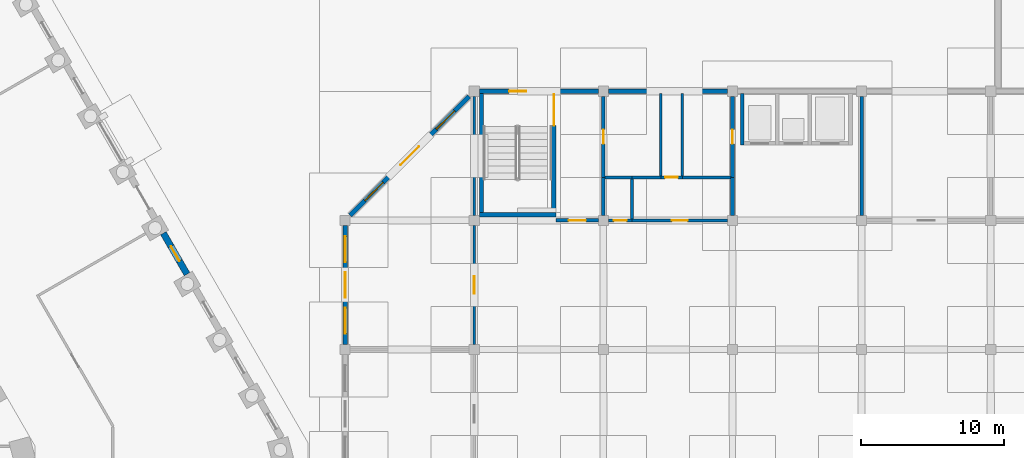
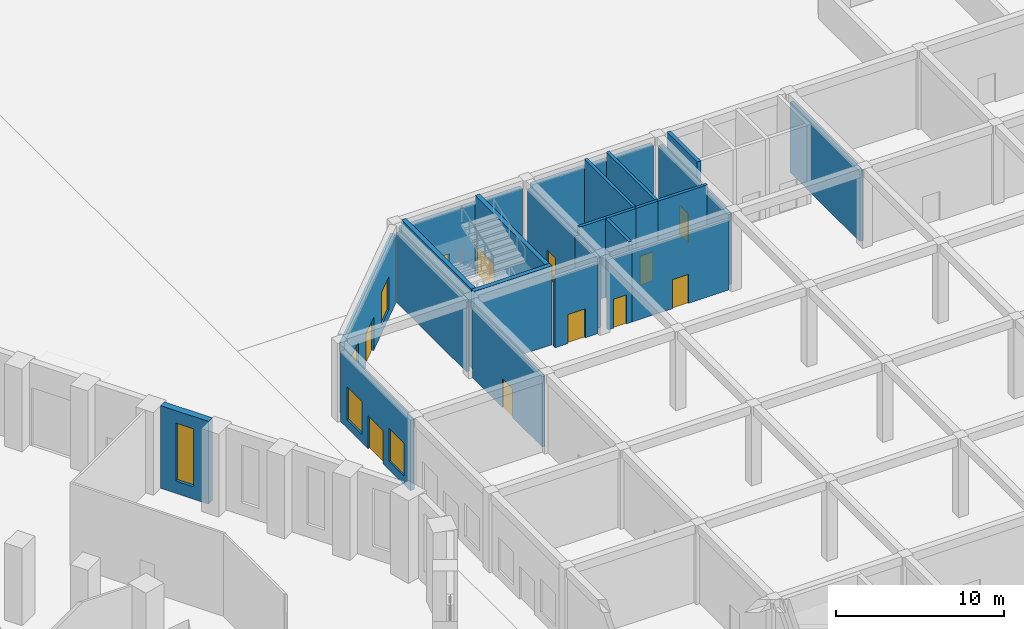
# One storey, part 26 of 44: 26 walls, 11 doors, 5 windows, 16 openings.
"""IFC4 building model written with IfcOpenShell, lengths in metres."""

from ifc_helpers import new_model, si_unit, direction, frame, frame_2d, origin, place, context, subcontext, project, spatial, rectangle, extrude, material, layer, layer_set, type_object, element, fill, save


model = new_model("IFC4")

# Units and contexts
model_context = context("Model", 3, precision=1e-05, world=origin(), true_north=direction((0.0, 1.0)))
body_context = subcontext(model_context, "Body", "Model", "MODEL_VIEW")
ifc_project = project(units=[si_unit("LENGTHUNIT", "METRE"), si_unit("AREAUNIT", "SQUARE_METRE"), si_unit("VOLUMEUNIT", "CUBIC_METRE"), si_unit("PLANEANGLEUNIT", "RADIAN"), si_unit("MASSUNIT", "GRAM", prefix="KILO")], contexts=[model_context])

# Site, building, storey
site_placement = place(None, origin())
site = spatial("IfcSite", under=ifc_project, at=site_placement, CompositionType="ELEMENT")
building_placement = place(site_placement, origin())
building = spatial("IfcBuilding", under=site, at=building_placement, Name="Dhurran Vertical Campus", CompositionType="ELEMENT")
storey_placement = place(building_placement, origin())
storey = spatial("IfcBuildingStorey", under=building, at=storey_placement, Name="L00", CompositionType="ELEMENT", Elevation=0.0)

# Wall, opening, window
ifc_material_1 = material(Name="Precast concrete C50/60", Category="concrete")
ifc_layer_1 = layer(ifc_material_1, 0.449951171875)
ifc_layer_set_1 = layer_set([ifc_layer_1], Name="Precast concrete C50/60")
wall_type_1 = type_object("IfcWallType", Name="Precast base wall 450", PredefinedType="SOLIDWALL", material=ifc_layer_set_1)
wall_1_placement = place(storey_placement, frame((50.478759765625, 14.248779296875, 0.0), z_axis=(0.0, 0.0, 1.0), x_axis=(-0.49995947208, 0.866048801325, 0.0)))
wall_1 = element("IfcWall", 1, at=wall_1_placement, inside=storey, type_object=wall_type_1, Name="EW2 L00.29", PredefinedType="SOLIDWALL", context=body_context, shape_type="SweptSolid", body=[
    extrude(rectangle(XDim=3.299072265625, YDim=0.449951171875, at=frame_2d((1.6494140625, 0.0))), origin(), (0.0, 0.0, 1.0), 6.0),
])
opening_1_placement = place(wall_1_placement, frame((1.049560546875, 0.0, 0.89990234375)))
opening_1 = element("IfcOpeningElement", 2, at=opening_1_placement, cuts=wall_1, Name="Opening WT5", PredefinedType="OPENING", context=body_context, shape_type="SweptSolid", body=[
    extrude(rectangle(XDim=1.199951171875, YDim=4.199951171875, at=frame_2d((0.60009765625, 2.10009765625))), frame((0.0, 0.23486328125, 0.0), z_axis=(0.0, -1.0, 0.0), x_axis=(1.0, 0.0, 0.0)), (0.0, 0.0, 1.0), 0.469970703125),
])
ifc_material_2 = material(Name="Aluminium frame with solar-control glass", Category="aluminium")
window_type_1 = type_object("IfcWindowType", Name="Ring slot window 1200 x 4200", PartitioningType="SINGLE_PANEL", PredefinedType="WINDOW", material=ifc_material_2)
window_1_placement = place(opening_1_placement, origin())
window_1 = element("IfcWindow", 3, at=window_1_placement, inside=storey, type_object=window_type_1, Name="WT5 L00.29", OverallHeight=4.199951171875, OverallWidth=1.199951171875, PartitioningType="SINGLE_PANEL", PredefinedType="WINDOW", context=body_context, shape_type="SweptSolid", body=[
    extrude(rectangle(XDim=1.199951171875, YDim=4.199951171875, at=frame_2d((0.60009765625, 2.10009765625))), frame((0.0, 0.030029296875, 0.0), z_axis=(0.0, -1.0, 0.0), x_axis=(1.0, 0.0, 0.0)), (0.0, 0.0, 1.0), 0.06005859375),
])
fill(opening_1, window_1)

# Wall
ifc_material_3 = material(Name="Precast concrete C40/50", Category="concrete")
ifc_layer_2 = layer(ifc_material_3, 0.300048828125)
ifc_layer_set_2 = layer_set([ifc_layer_2], Name="Precast concrete C40/50")
wall_type_2 = type_object("IfcWallType", Name="hl-external wall precast 300", PredefinedType="SOLIDWALL", material=ifc_layer_set_2)
wall_2_placement = place(storey_placement, frame((88.14990234375, 27.0, 0.0), z_axis=(0.0, 0.0, 1.0), x_axis=(-1.0, 0.0, 0.0)))
element("IfcWall", 4, at=wall_2_placement, inside=storey, type_object=wall_type_2, Name="Hall external wall L00-036", PredefinedType="SOLIDWALL", context=body_context, shape_type="SweptSolid", body=[
    extrude(rectangle(XDim=8.2998046875, YDim=0.300048828125, at=frame_2d((4.14990234375, 0.0))), origin(), (0.0, 0.0, 1.0), 5.10009765625),
])

# Wall, openings, door, windows
wall_3_placement = place(storey_placement, frame((70.14990234375, 26.64990234375, 0.0), z_axis=(0.0, 0.0, 1.0), x_axis=(-0.707106781187, -0.707106781187, 0.0)))
wall_3 = element("IfcWall", 5, at=wall_3_placement, inside=storey, type_object=wall_type_2, Name="Hall external wall L00-040", PredefinedType="SOLIDWALL", context=body_context, shape_type="SweptSolid", body=[
    extrude(rectangle(XDim=11.73779296875, YDim=0.300048828125, at=frame_2d((5.868896484375, 0.0))), origin(), (0.0, 0.0, 1.0), 5.10009765625),
])
opening_2_placement = place(wall_3_placement, frame((1.447509765625, 0.0, 0.60009765625)))
opening_2 = element("IfcOpeningElement", 6, at=opening_2_placement, cuts=wall_3, Name="Opening HWN2", PredefinedType="OPENING", context=body_context, shape_type="SweptSolid", body=[
    extrude(rectangle(XDim=1.800048828125, YDim=2.39990234375, at=frame_2d((0.89990234375, 1.199951171875))), frame((0.0, 0.159912109375, 0.0), z_axis=(0.0, -1.0, 0.0), x_axis=(1.0, 0.0, 0.0)), (0.0, 0.0, 1.0), 0.320068359375),
])
opening_3_placement = place(wall_3_placement, frame((4.968994140625, 0.0, 0.0)))
opening_3 = element("IfcOpeningElement", 7, at=opening_3_placement, cuts=wall_3, Name="Opening HDE12", PredefinedType="OPENING", context=body_context, shape_type="SweptSolid", body=[
    extrude(rectangle(XDim=1.800048828125, YDim=2.39990234375, at=frame_2d((0.89990234375, 1.199951171875))), frame((0.0, 0.159912109375, 0.0), z_axis=(0.0, -1.0, 0.0), x_axis=(1.0, 0.0, 0.0)), (0.0, 0.0, 1.0), 0.320068359375),
])
opening_4_placement = place(wall_3_placement, frame((8.490478515625, 0.0, 0.60009765625)))
opening_4 = element("IfcOpeningElement", 8, at=opening_4_placement, cuts=wall_3, Name="Opening HWN2", PredefinedType="OPENING", context=body_context, shape_type="SweptSolid", body=[
    extrude(rectangle(XDim=1.800048828125, YDim=2.39990234375, at=frame_2d((0.89990234375, 1.199951171875))), frame((0.0, 0.159912109375, 0.0), z_axis=(0.0, -1.0, 0.0), x_axis=(1.0, 0.0, 0.0)), (0.0, 0.0, 1.0), 0.320068359375),
])
ifc_material_4 = material(Name="Aluminium", Category="aluminium")
door_type_1 = type_object("IfcDoorType", Name="hl-shop door double 1800x2400", OperationType="NOTDEFINED", PredefinedType="DOOR", material=ifc_material_4)
door_1_placement = place(opening_3_placement, origin())
door_1 = element("IfcDoor", 9, at=door_1_placement, inside=storey, type_object=door_type_1, Name="Door HDE12", OperationType="DOUBLE_DOOR_SINGLE_SWING", OverallHeight=2.39990234375, OverallWidth=1.800048828125, PredefinedType="DOOR", context=body_context, shape_type="SweptSolid", body=[
    extrude(rectangle(XDim=1.800048828125, YDim=2.39990234375, at=frame_2d((0.89990234375, 1.199951171875))), frame((0.0, 0.02490234375, 0.0), z_axis=(0.0, -1.0, 0.0), x_axis=(1.0, 0.0, 0.0)), (0.0, 0.0, 1.0), 0.050048828125),
])
fill(opening_3, door_1)
ifc_material_5 = material(Name="Aluminium", Category="aluminium")
window_type_2 = type_object("IfcWindowType", Name="hl-shop window 1800x2400", PartitioningType="SINGLE_PANEL", PredefinedType="WINDOW", material=ifc_material_5)
window_2_placement = place(opening_2_placement, origin())
window_2 = element("IfcWindow", 10, at=window_2_placement, inside=storey, type_object=window_type_2, Name="Hall window L00-005", OverallHeight=2.39990234375, OverallWidth=1.800048828125, PartitioningType="SINGLE_PANEL", PredefinedType="WINDOW", context=body_context, shape_type="SweptSolid", body=[
    extrude(rectangle(XDim=1.800048828125, YDim=2.39990234375, at=frame_2d((0.89990234375, 1.199951171875))), frame((0.0, 0.030029296875, 0.0), z_axis=(0.0, -1.0, 0.0), x_axis=(1.0, 0.0, 0.0)), (0.0, 0.0, 1.0), 0.06005859375),
])
fill(opening_2, window_2)
window_3_placement = place(opening_4_placement, origin())
window_3 = element("IfcWindow", 11, at=window_3_placement, inside=storey, type_object=window_type_2, Name="Hall window L00-006", OverallHeight=2.39990234375, OverallWidth=1.800048828125, PartitioningType="SINGLE_PANEL", PredefinedType="WINDOW", context=body_context, shape_type="SweptSolid", body=[
    extrude(rectangle(XDim=1.800048828125, YDim=2.39990234375, at=frame_2d((0.89990234375, 1.199951171875))), frame((0.0, 0.030029296875, 0.0), z_axis=(0.0, -1.0, 0.0), x_axis=(1.0, 0.0, 0.0)), (0.0, 0.0, 1.0), 0.06005859375),
])
fill(opening_4, window_3)

wall_4_placement = place(storey_placement, frame((61.5, 17.64990234375, 0.0), z_axis=(0.0, 0.0, 1.0), x_axis=(0.0, -1.0, 0.0)))
wall_4 = element("IfcWall", 12, at=wall_4_placement, inside=storey, type_object=wall_type_2, Name="Hall external wall L00-042", PredefinedType="SOLIDWALL", context=body_context, shape_type="SweptSolid", body=[
    extrude(rectangle(XDim=8.2998046875, YDim=0.300048828125, at=frame_2d((4.14990234375, 0.0))), origin(), (0.0, 0.0, 1.0), 5.10009765625),
])
opening_5_placement = place(wall_4_placement, frame((0.760009765625, 0.0, 0.60009765625)))
opening_5 = element("IfcOpeningElement", 13, at=opening_5_placement, cuts=wall_4, Name="Opening HWN2", PredefinedType="OPENING", context=body_context, shape_type="SweptSolid", body=[
    extrude(rectangle(XDim=1.800048828125, YDim=2.39990234375, at=frame_2d((0.89990234375, 1.199951171875))), frame((0.0, 0.159912109375, 0.0), z_axis=(0.0, -1.0, 0.0), x_axis=(1.0, 0.0, 0.0)), (0.0, 0.0, 1.0), 0.320068359375),
])
opening_6_placement = place(wall_4_placement, frame((3.25, 0.0, 0.0)))
opening_6 = element("IfcOpeningElement", 14, at=opening_6_placement, cuts=wall_4, Name="Opening HDE13", PredefinedType="OPENING", context=body_context, shape_type="SweptSolid", body=[
    extrude(rectangle(XDim=1.800048828125, YDim=2.39990234375, at=frame_2d((0.89990234375, 1.199951171875))), frame((0.0, 0.159912109375, 0.0), z_axis=(0.0, -1.0, 0.0), x_axis=(1.0, 0.0, 0.0)), (0.0, 0.0, 1.0), 0.320068359375),
])
opening_7_placement = place(wall_4_placement, frame((5.739990234375, 0.0, 0.60009765625)))
opening_7 = element("IfcOpeningElement", 15, at=opening_7_placement, cuts=wall_4, Name="Opening HWN2", PredefinedType="OPENING", context=body_context, shape_type="SweptSolid", body=[
    extrude(rectangle(XDim=1.800048828125, YDim=2.39990234375, at=frame_2d((0.89990234375, 1.199951171875))), frame((0.0, 0.159912109375, 0.0), z_axis=(0.0, -1.0, 0.0), x_axis=(1.0, 0.0, 0.0)), (0.0, 0.0, 1.0), 0.320068359375),
])
door_2_placement = place(opening_6_placement, origin())
door_2 = element("IfcDoor", 16, at=door_2_placement, inside=storey, type_object=door_type_1, Name="Door HDE13", OperationType="DOUBLE_DOOR_SINGLE_SWING", OverallHeight=2.39990234375, OverallWidth=1.800048828125, PredefinedType="DOOR", context=body_context, shape_type="SweptSolid", body=[
    extrude(rectangle(XDim=1.800048828125, YDim=2.39990234375, at=frame_2d((0.89990234375, 1.199951171875))), frame((0.0, 0.02490234375, 0.0), z_axis=(0.0, -1.0, 0.0), x_axis=(1.0, 0.0, 0.0)), (0.0, 0.0, 1.0), 0.050048828125),
])
fill(opening_6, door_2)
window_4_placement = place(opening_5_placement, origin())
window_4 = element("IfcWindow", 17, at=window_4_placement, inside=storey, type_object=window_type_2, Name="Hall window L00-007", OverallHeight=2.39990234375, OverallWidth=1.800048828125, PartitioningType="SINGLE_PANEL", PredefinedType="WINDOW", context=body_context, shape_type="SweptSolid", body=[
    extrude(rectangle(XDim=1.800048828125, YDim=2.39990234375, at=frame_2d((0.89990234375, 1.199951171875))), frame((0.0, 0.030029296875, 0.0), z_axis=(0.0, -1.0, 0.0), x_axis=(1.0, 0.0, 0.0)), (0.0, 0.0, 1.0), 0.06005859375),
])
fill(opening_5, window_4)
window_5_placement = place(opening_7_placement, origin())
window_5 = element("IfcWindow", 18, at=window_5_placement, inside=storey, type_object=window_type_2, Name="Hall window L00-008", OverallHeight=2.39990234375, OverallWidth=1.800048828125, PartitioningType="SINGLE_PANEL", PredefinedType="WINDOW", context=body_context, shape_type="SweptSolid", body=[
    extrude(rectangle(XDim=1.800048828125, YDim=2.39990234375, at=frame_2d((0.89990234375, 1.199951171875))), frame((0.0, 0.030029296875, 0.0), z_axis=(0.0, -1.0, 0.0), x_axis=(1.0, 0.0, 0.0)), (0.0, 0.0, 1.0), 0.06005859375),
])
fill(opening_7, window_5)

# Wall, opening, door
ifc_material_6 = material(Name="Precast concrete C40/50", Category="concrete")
ifc_layer_3 = layer(ifc_material_6, 0.300048828125)
ifc_layer_set_3 = layer_set([ifc_layer_3], Name="Precast concrete C40/50")
wall_type_3 = type_object("IfcWallType", Name="hl-external wall precast 300 EI 120", PredefinedType="SOLIDWALL", material=ifc_layer_set_3)
wall_5_placement = place(storey_placement, frame((79.14990234375, 27.0, 0.0), z_axis=(0.0, 0.0, 1.0), x_axis=(-1.0, 0.0, 0.0)))
wall_5 = element("IfcWall", 19, at=wall_5_placement, inside=storey, type_object=wall_type_3, Name="Hall external wall L00-038", PredefinedType="SOLIDWALL", context=body_context, shape_type="SweptSolid", body=[
    extrude(rectangle(XDim=8.2998046875, YDim=0.300048828125, at=frame_2d((4.14990234375, 0.0))), origin(), (0.0, 0.0, 1.0), 5.10009765625),
])
opening_8_placement = place(wall_5_placement, frame((6.224853515625, 0.0, 0.0), z_axis=(0.0, 0.0, 1.0), x_axis=(-1.0, 0.0, 0.0)))
opening_8 = element("IfcOpeningElement", 20, at=opening_8_placement, cuts=wall_5, Name="Opening HDE11", PredefinedType="OPENING", context=body_context, shape_type="SweptSolid", body=[
    extrude(rectangle(XDim=1.199951171875, YDim=2.10009765625, at=frame_2d((0.60009765625, 1.050048828125))), frame((0.0, 0.159912109375, 0.0), z_axis=(0.0, -1.0, 0.0), x_axis=(1.0, 0.0, 0.0)), (0.0, 0.0, 1.0), 0.320068359375),
])
ifc_material_7 = material(Name="Galvanised sheet steel", Category="steel")
door_type_2 = type_object("IfcDoorType", Name="hl-stair exit door 1200x2100 FD90", OperationType="NOTDEFINED", PredefinedType="DOOR", material=ifc_material_7)
door_3_placement = place(opening_8_placement, origin())
door_3 = element("IfcDoor", 21, at=door_3_placement, inside=storey, type_object=door_type_2, Name="Door HDE11", OperationType="SINGLE_SWING_LEFT", OverallHeight=2.10009765625, OverallWidth=1.199951171875, PredefinedType="DOOR", context=body_context, shape_type="SweptSolid", body=[
    extrude(rectangle(XDim=1.199951171875, YDim=2.10009765625, at=frame_2d((0.60009765625, 1.050048828125))), frame((0.0, 0.02490234375, 0.0), z_axis=(0.0, -1.0, 0.0), x_axis=(1.0, 0.0, 0.0)), (0.0, 0.0, 1.0), 0.050048828125),
])
fill(opening_8, door_3)

# Wall
ifc_material_8 = material(Name="Concrete C40/50", Category="concrete")
ifc_layer_4 = layer(ifc_material_8, 0.25)
ifc_layer_set_4 = layer_set([ifc_layer_4], Name="Concrete C40/50")
wall_type_4 = type_object("IfcWallType", Name="hl-lift shaft wall 250", PredefinedType="SHEAR", material=ifc_layer_set_4)
wall_6_placement = place(storey_placement, frame((89.175048828125, 23.25, -1.780029296875), z_axis=(0.0, 0.0, 1.0), x_axis=(0.0, 1.0, 0.0)))
element("IfcWall", 22, at=wall_6_placement, inside=storey, type_object=wall_type_4, Name="Lift shaft wall V0 L00", PredefinedType="SHEAR", context=body_context, shape_type="SweptSolid", body=[
    extrude(rectangle(XDim=3.60009765625, YDim=0.25, at=frame_2d((1.800048828125, 0.0))), origin(), (0.0, 0.0, 1.0), 7.5),
])

# Wall, opening, door
ifc_material_9 = material(Name="Masonry blockwork", Category="masonry")
ifc_layer_5 = layer(ifc_material_9, 0.199951171875)
ifc_layer_set_5 = layer_set([ifc_layer_5], Name="Masonry blockwork")
wall_type_5 = type_object("IfcWallType", Name="hl-partition blockwork 200 EI 60", PredefinedType="PARTITIONING", material=ifc_layer_set_5)
wall_7_placement = place(storey_placement, frame((70.5, 9.35009765625, 0.0), z_axis=(0.0, 0.0, 1.0), x_axis=(0.0, 1.0, 0.0)))
wall_7 = element("IfcWall", 23, at=wall_7_placement, inside=storey, type_object=wall_type_5, Name="Hall partition L00-008", PredefinedType="PARTITIONING", context=body_context, shape_type="SweptSolid", body=[
    extrude(rectangle(XDim=8.2998046875, YDim=0.199951171875, at=frame_2d((4.14990234375, 0.0))), origin(), (0.0, 0.0, 1.0), 5.10009765625),
])
opening_9_placement = place(wall_7_placement, frame((3.550048828125, 0.0, 0.0)))
opening_9 = element("IfcOpeningElement", 24, at=opening_9_placement, cuts=wall_7, Name="Opening HD010", PredefinedType="OPENING", context=body_context, shape_type="SweptSolid", body=[
    extrude(rectangle(XDim=1.199951171875, YDim=2.10009765625, at=frame_2d((0.60009765625, 1.050048828125))), frame((0.0, 0.10986328125, 0.0), z_axis=(0.0, -1.0, 0.0), x_axis=(1.0, 0.0, 0.0)), (0.0, 0.0, 1.0), 0.219970703125),
])
ifc_material_10 = material(Name="Fire-rated steel door set", Category="steel")
door_type_3 = type_object("IfcDoorType", Name="hl-door 1200x2100 single FD30S", OperationType="NOTDEFINED", PredefinedType="DOOR", material=ifc_material_10)
door_4_placement = place(opening_9_placement, origin())
door_4 = element("IfcDoor", 25, at=door_4_placement, inside=storey, type_object=door_type_3, Name="Door HD010", OperationType="SINGLE_SWING_RIGHT", OverallHeight=2.10009765625, OverallWidth=1.199951171875, PredefinedType="DOOR", context=body_context, shape_type="SweptSolid", body=[
    extrude(rectangle(XDim=1.199951171875, YDim=2.10009765625, at=frame_2d((0.60009765625, 1.050048828125))), frame((0.0, 0.02490234375, 0.0), z_axis=(0.0, -1.0, 0.0), x_axis=(1.0, 0.0, 0.0)), (0.0, 0.0, 1.0), 0.050048828125),
])
fill(opening_9, door_4)

# Wall
wall_8_placement = place(storey_placement, frame((70.5, 18.35009765625, 0.0), z_axis=(0.0, 0.0, 1.0), x_axis=(0.0, 1.0, 0.0)))
element("IfcWall", 26, at=wall_8_placement, inside=storey, type_object=wall_type_5, Name="Hall partition L00-009", PredefinedType="PARTITIONING", context=body_context, shape_type="SweptSolid", body=[
    extrude(rectangle(XDim=8.2998046875, YDim=0.199951171875, at=frame_2d((4.14990234375, 0.0))), origin(), (0.0, 0.0, 1.0), 5.10009765625),
])

# Wall, opening, door
wall_9_placement = place(storey_placement, frame((79.85009765625, 18.0, 0.0), z_axis=(0.0, 0.0, 1.0), x_axis=(1.0, 0.0, 0.0)))
wall_9 = element("IfcWall", 27, at=wall_9_placement, inside=storey, type_object=wall_type_5, Name="Hall partition L00-015", PredefinedType="PARTITIONING", context=body_context, shape_type="SweptSolid", body=[
    extrude(rectangle(XDim=1.64990234375, YDim=0.199951171875, at=frame_2d((0.824951171875, 0.0))), origin(), (0.0, 0.0, 1.0), 5.10009765625),
])
opening_10_placement = place(wall_9_placement, frame((0.375, 0.0, 0.0)))
opening_10 = element("IfcOpeningElement", 28, at=opening_10_placement, cuts=wall_9, Name="Opening HD012", PredefinedType="OPENING", context=body_context, shape_type="SweptSolid", body=[
    extrude(rectangle(XDim=0.89990234375, YDim=2.10009765625, at=frame_2d((0.449951171875, 1.050048828125))), frame((0.0, 0.10986328125, 0.0), z_axis=(0.0, -1.0, 0.0), x_axis=(1.0, 0.0, 0.0)), (0.0, 0.0, 1.0), 0.219970703125),
])
ifc_material_11 = material(Name="Fire-rated steel door set", Category="steel")
door_type_4 = type_object("IfcDoorType", Name="hl-door 900x2100 single FD30S", OperationType="NOTDEFINED", PredefinedType="DOOR", material=ifc_material_11)
door_5_placement = place(opening_10_placement, origin())
door_5 = element("IfcDoor", 29, at=door_5_placement, inside=storey, type_object=door_type_4, Name="Door HD012", OperationType="SINGLE_SWING_RIGHT", OverallHeight=2.10009765625, OverallWidth=0.89990234375, PredefinedType="DOOR", context=body_context, shape_type="SweptSolid", body=[
    extrude(rectangle(XDim=0.89990234375, YDim=2.10009765625, at=frame_2d((0.449951171875, 1.050048828125))), frame((0.0, 0.02490234375, 0.0), z_axis=(0.0, -1.0, 0.0), x_axis=(1.0, 0.0, 0.0)), (0.0, 0.0, 1.0), 0.050048828125),
])
fill(opening_10, door_5)

# Walls
wall_10_placement = place(storey_placement, frame((79.60009765625, 21.0, 0.0), z_axis=(0.0, 0.0, 1.0), x_axis=(1.0, 0.0, 0.0)))
element("IfcWall", 30, at=wall_10_placement, inside=storey, type_object=wall_type_5, Name="Hall partition L00-017", PredefinedType="PARTITIONING", context=body_context, shape_type="SweptSolid", body=[
    extrude(rectangle(XDim=1.89990234375, YDim=0.199951171875, at=frame_2d((0.949951171875, 0.0))), origin(), (0.0, 0.0, 1.0), 5.719970703125),
])
wall_11_placement = place(storey_placement, frame((81.5, 18.10009765625, 0.0), z_axis=(0.0, 0.0, 1.0), x_axis=(0.0, 1.0, 0.0)))
element("IfcWall", 31, at=wall_11_placement, inside=storey, type_object=wall_type_5, Name="Hall partition L00-018", PredefinedType="PARTITIONING", context=body_context, shape_type="SweptSolid", body=[
    extrude(rectangle(XDim=2.89990234375, YDim=0.199951171875, at=frame_2d((1.449951171875, 0.0))), origin(), (0.0, 0.0, 1.0), 5.719970703125),
])

# Wall, opening, door
wall_12_placement = place(storey_placement, frame((81.5, 18.0, 0.0), z_axis=(0.0, 0.0, 1.0), x_axis=(1.0, 0.0, 0.0)))
wall_12 = element("IfcWall", 32, at=wall_12_placement, inside=storey, type_object=wall_type_5, Name="Hall partition L00-019", PredefinedType="PARTITIONING", context=body_context, shape_type="SweptSolid", body=[
    extrude(rectangle(XDim=6.64990234375, YDim=0.199951171875, at=frame_2d((3.324951171875, 0.0))), origin(), (0.0, 0.0, 1.0), 5.10009765625),
])
opening_11_placement = place(wall_12_placement, frame((2.77490234375, 0.0, 0.0)))
opening_11 = element("IfcOpeningElement", 33, at=opening_11_placement, cuts=wall_12, Name="Opening HD011", PredefinedType="OPENING", context=body_context, shape_type="SweptSolid", body=[
    extrude(rectangle(XDim=1.10009765625, YDim=2.10009765625, at=frame_2d((0.550048828125, 1.050048828125))), frame((0.0, 0.10986328125, 0.0), z_axis=(0.0, -1.0, 0.0), x_axis=(1.0, 0.0, 0.0)), (0.0, 0.0, 1.0), 0.219970703125),
])
ifc_material_12 = material(Name="Fire-rated steel door set", Category="steel")
door_type_5 = type_object("IfcDoorType", Name="hl-door 1100x2100 single FD30S", OperationType="NOTDEFINED", PredefinedType="DOOR", material=ifc_material_12)
door_6_placement = place(opening_11_placement, origin())
door_6 = element("IfcDoor", 34, at=door_6_placement, inside=storey, type_object=door_type_5, Name="Door HD011", OperationType="SINGLE_SWING_LEFT", OverallHeight=2.10009765625, OverallWidth=1.10009765625, PredefinedType="DOOR", context=body_context, shape_type="SweptSolid", body=[
    extrude(rectangle(XDim=1.10009765625, YDim=2.10009765625, at=frame_2d((0.550048828125, 1.050048828125))), frame((0.0, 0.02490234375, 0.0), z_axis=(0.0, -1.0, 0.0), x_axis=(1.0, 0.0, 0.0)), (0.0, 0.0, 1.0), 0.050048828125),
])
fill(opening_11, door_6)

# Walls
wall_13_placement = place(storey_placement, frame((81.5, 21.0, 0.0), z_axis=(0.0, 0.0, 1.0), x_axis=(1.0, 0.0, 0.0)))
element("IfcWall", 35, at=wall_13_placement, inside=storey, type_object=wall_type_5, Name="Hall partition L00-020", PredefinedType="PARTITIONING", context=body_context, shape_type="SweptSolid", body=[
    extrude(rectangle(XDim=2.0, YDim=0.199951171875, at=frame_2d((1.0, 0.0))), origin(), (0.0, 0.0, 1.0), 5.719970703125),
])
wall_14_placement = place(storey_placement, frame((83.5, 21.0, 0.0), z_axis=(0.0, 0.0, 1.0), x_axis=(0.0, 1.0, 0.0)))
element("IfcWall", 36, at=wall_14_placement, inside=storey, type_object=wall_type_5, Name="Hall partition L00-021", PredefinedType="PARTITIONING", context=body_context, shape_type="SweptSolid", body=[
    extrude(rectangle(XDim=5.85009765625, YDim=0.199951171875, at=frame_2d((2.925048828125, 0.0))), origin(), (0.0, 0.0, 1.0), 5.719970703125),
])

# Wall, opening, door
wall_15_placement = place(storey_placement, frame((83.5, 21.0, 0.0), z_axis=(0.0, 0.0, 1.0), x_axis=(1.0, 0.0, 0.0)))
wall_15 = element("IfcWall", 37, at=wall_15_placement, inside=storey, type_object=wall_type_5, Name="Hall partition L00-022", PredefinedType="PARTITIONING", context=body_context, shape_type="SweptSolid", body=[
    extrude(rectangle(XDim=1.5, YDim=0.199951171875, at=frame_2d((0.75, 0.0))), origin(), (0.0, 0.0, 1.0), 5.719970703125),
])
opening_12_placement = place(wall_15_placement, frame((0.300048828125, 0.0, 0.0)))
opening_12 = element("IfcOpeningElement", 38, at=opening_12_placement, cuts=wall_15, Name="Opening HD014", PredefinedType="OPENING", context=body_context, shape_type="SweptSolid", body=[
    extrude(rectangle(XDim=0.89990234375, YDim=2.10009765625, at=frame_2d((0.449951171875, 1.050048828125))), frame((0.0, 0.10986328125, 0.0), z_axis=(0.0, -1.0, 0.0), x_axis=(1.0, 0.0, 0.0)), (0.0, 0.0, 1.0), 0.219970703125),
])
door_7_placement = place(opening_12_placement, origin())
door_7 = element("IfcDoor", 39, at=door_7_placement, inside=storey, type_object=door_type_4, Name="Door HD014", OperationType="SINGLE_SWING_RIGHT", OverallHeight=2.10009765625, OverallWidth=0.89990234375, PredefinedType="DOOR", context=body_context, shape_type="SweptSolid", body=[
    extrude(rectangle(XDim=0.89990234375, YDim=2.10009765625, at=frame_2d((0.449951171875, 1.050048828125))), frame((0.0, 0.02490234375, 0.0), z_axis=(0.0, -1.0, 0.0), x_axis=(1.0, 0.0, 0.0)), (0.0, 0.0, 1.0), 0.050048828125),
])
fill(opening_12, door_7)

# Walls
wall_16_placement = place(storey_placement, frame((85.0, 21.0, 0.0), z_axis=(0.0, 0.0, 1.0), x_axis=(0.0, 1.0, 0.0)))
element("IfcWall", 40, at=wall_16_placement, inside=storey, type_object=wall_type_5, Name="Hall partition L00-023", PredefinedType="PARTITIONING", context=body_context, shape_type="SweptSolid", body=[
    extrude(rectangle(XDim=5.85009765625, YDim=0.199951171875, at=frame_2d((2.925048828125, 0.0))), origin(), (0.0, 0.0, 1.0), 5.719970703125),
])
wall_17_placement = place(storey_placement, frame((85.0, 21.0, 0.0), z_axis=(0.0, 0.0, 1.0), x_axis=(1.0, 0.0, 0.0)))
element("IfcWall", 41, at=wall_17_placement, inside=storey, type_object=wall_type_5, Name="Hall partition L00-024", PredefinedType="PARTITIONING", context=body_context, shape_type="SweptSolid", body=[
    extrude(rectangle(XDim=3.39990234375, YDim=0.199951171875, at=frame_2d((1.699951171875, 0.0))), origin(), (0.0, 0.0, 1.0), 5.719970703125),
])

# Wall, opening, door
ifc_material_13 = material(Name="Masonry blockwork", Category="masonry")
ifc_layer_6 = layer(ifc_material_13, 0.25)
ifc_layer_set_6 = layer_set([ifc_layer_6], Name="Masonry blockwork")
wall_type_6 = type_object("IfcWallType", Name="hl-partition blockwork 250 EI 120", PredefinedType="PARTITIONING", material=ifc_layer_set_6)
wall_18_placement = place(storey_placement, frame((76.199951171875, 18.0, 0.0), z_axis=(0.0, 0.0, 1.0), x_axis=(1.0, 0.0, 0.0)))
wall_18 = element("IfcWall", 42, at=wall_18_placement, inside=storey, type_object=wall_type_6, Name="Hall partition L00-011", PredefinedType="PARTITIONING", context=body_context, shape_type="SweptSolid", body=[
    extrude(rectangle(XDim=2.949951171875, YDim=0.25, at=frame_2d((1.47509765625, 0.0))), origin(), (0.0, 0.0, 1.0), 5.10009765625),
])
opening_13_placement = place(wall_18_placement, frame((0.875, 0.0, 0.0)))
opening_13 = element("IfcOpeningElement", 43, at=opening_13_placement, cuts=wall_18, Name="Opening HD003", PredefinedType="OPENING", context=body_context, shape_type="SweptSolid", body=[
    extrude(rectangle(XDim=1.199951171875, YDim=2.10009765625, at=frame_2d((0.60009765625, 1.050048828125))), frame((0.0, 0.135009765625, 0.0), z_axis=(0.0, -1.0, 0.0), x_axis=(1.0, 0.0, 0.0)), (0.0, 0.0, 1.0), 0.27001953125),
])
ifc_material_14 = material(Name="Fire-rated steel door set", Category="steel")
door_type_6 = type_object("IfcDoorType", Name="hl-door 1200x2100 single FD90", OperationType="NOTDEFINED", PredefinedType="DOOR", material=ifc_material_14)
door_8_placement = place(opening_13_placement, origin())
door_8 = element("IfcDoor", 44, at=door_8_placement, inside=storey, type_object=door_type_6, Name="Door HD003", OperationType="SINGLE_SWING_LEFT", OverallHeight=2.10009765625, OverallWidth=1.199951171875, PredefinedType="DOOR", context=body_context, shape_type="SweptSolid", body=[
    extrude(rectangle(XDim=1.199951171875, YDim=2.10009765625, at=frame_2d((0.60009765625, 1.050048828125))), frame((0.0, 0.02490234375, 0.0), z_axis=(0.0, -1.0, 0.0), x_axis=(1.0, 0.0, 0.0)), (0.0, 0.0, 1.0), 0.050048828125),
])
fill(opening_13, door_8)

# Wall
wall_19_placement = place(storey_placement, frame((79.5, 18.35009765625, 0.0), z_axis=(0.0, 0.0, 1.0), x_axis=(0.0, 1.0, 0.0)))
element("IfcWall", 45, at=wall_19_placement, inside=storey, type_object=wall_type_6, Name="Hall partition L00-014", PredefinedType="PARTITIONING", context=body_context, shape_type="SweptSolid", body=[
    extrude(rectangle(XDim=2.64990234375, YDim=0.25, at=frame_2d((1.324951171875, 0.0))), origin(), (0.0, 0.0, 1.0), 5.10009765625),
])

# Wall, opening, door
wall_20_placement = place(storey_placement, frame((79.5, 21.0, 0.0), z_axis=(0.0, 0.0, 1.0), x_axis=(0.0, 1.0, 0.0)))
wall_20 = element("IfcWall", 46, at=wall_20_placement, inside=storey, type_object=wall_type_6, Name="Hall partition L00-016", PredefinedType="PARTITIONING", context=body_context, shape_type="SweptSolid", body=[
    extrude(rectangle(XDim=5.64990234375, YDim=0.25, at=frame_2d((2.824951171875, 0.0))), origin(), (0.0, 0.0, 1.0), 5.10009765625),
])
opening_14_placement = place(wall_20_placement, frame((2.324951171875, 0.0, 0.0)))
opening_14 = element("IfcOpeningElement", 47, at=opening_14_placement, cuts=wall_20, Name="Opening HD013", PredefinedType="OPENING", context=body_context, shape_type="SweptSolid", body=[
    extrude(rectangle(XDim=1.0, YDim=2.10009765625, at=frame_2d((0.5, 1.050048828125))), frame((0.0, 0.135009765625, 0.0), z_axis=(0.0, -1.0, 0.0), x_axis=(1.0, 0.0, 0.0)), (0.0, 0.0, 1.0), 0.27001953125),
])
ifc_material_15 = material(Name="Fire-rated steel door set", Category="steel")
door_type_7 = type_object("IfcDoorType", Name="hl-door 1000x2100 single FD90", OperationType="NOTDEFINED", PredefinedType="DOOR", material=ifc_material_15)
door_9_placement = place(opening_14_placement, origin())
door_9 = element("IfcDoor", 48, at=door_9_placement, inside=storey, type_object=door_type_7, Name="Door HD013", OperationType="SINGLE_SWING_LEFT", OverallHeight=2.10009765625, OverallWidth=1.0, PredefinedType="DOOR", context=body_context, shape_type="SweptSolid", body=[
    extrude(rectangle(XDim=1.0, YDim=2.10009765625, at=frame_2d((0.5, 1.050048828125))), frame((0.0, 0.02490234375, 0.0), z_axis=(0.0, -1.0, 0.0), x_axis=(1.0, 0.0, 0.0)), (0.0, 0.0, 1.0), 0.050048828125),
])
fill(opening_14, door_9)

# Wall
wall_21_placement = place(storey_placement, frame((88.5, 18.35009765625, 0.0), z_axis=(0.0, 0.0, 1.0), x_axis=(0.0, 1.0, 0.0)))
element("IfcWall", 49, at=wall_21_placement, inside=storey, type_object=wall_type_6, Name="Hall partition L00-026", PredefinedType="PARTITIONING", context=body_context, shape_type="SweptSolid", body=[
    extrude(rectangle(XDim=2.64990234375, YDim=0.25, at=frame_2d((1.324951171875, 0.0))), origin(), (0.0, 0.0, 1.0), 5.10009765625),
])

# Wall, opening, door
wall_22_placement = place(storey_placement, frame((88.5, 21.0, 0.0), z_axis=(0.0, 0.0, 1.0), x_axis=(0.0, 1.0, 0.0)))
wall_22 = element("IfcWall", 50, at=wall_22_placement, inside=storey, type_object=wall_type_6, Name="Hall partition L00-027", PredefinedType="PARTITIONING", context=body_context, shape_type="SweptSolid", body=[
    extrude(rectangle(XDim=5.64990234375, YDim=0.25, at=frame_2d((2.824951171875, 0.0))), origin(), (0.0, 0.0, 1.0), 5.10009765625),
])
opening_15_placement = place(wall_22_placement, frame((2.324951171875, 0.0, 0.0)))
opening_15 = element("IfcOpeningElement", 51, at=opening_15_placement, cuts=wall_22, Name="Opening HD015", PredefinedType="OPENING", context=body_context, shape_type="SweptSolid", body=[
    extrude(rectangle(XDim=1.0, YDim=2.10009765625, at=frame_2d((0.5, 1.050048828125))), frame((0.0, 0.135009765625, 0.0), z_axis=(0.0, -1.0, 0.0), x_axis=(1.0, 0.0, 0.0)), (0.0, 0.0, 1.0), 0.27001953125),
])
door_10_placement = place(opening_15_placement, origin())
door_10 = element("IfcDoor", 52, at=door_10_placement, inside=storey, type_object=door_type_7, Name="Door HD015", OperationType="SINGLE_SWING_LEFT", OverallHeight=2.10009765625, OverallWidth=1.0, PredefinedType="DOOR", context=body_context, shape_type="SweptSolid", body=[
    extrude(rectangle(XDim=1.0, YDim=2.10009765625, at=frame_2d((0.5, 1.050048828125))), frame((0.0, 0.02490234375, 0.0), z_axis=(0.0, -1.0, 0.0), x_axis=(1.0, 0.0, 0.0)), (0.0, 0.0, 1.0), 0.050048828125),
])
fill(opening_15, door_10)

# Walls
wall_23_placement = place(storey_placement, frame((97.5, 18.35009765625, 0.0), z_axis=(0.0, 0.0, 1.0), x_axis=(0.0, 1.0, 0.0)))
element("IfcWall", 53, at=wall_23_placement, inside=storey, type_object=wall_type_6, Name="Hall partition L00-028", PredefinedType="PARTITIONING", context=body_context, shape_type="SweptSolid", body=[
    extrude(rectangle(XDim=8.2998046875, YDim=0.25, at=frame_2d((4.14990234375, 0.0))), origin(), (0.0, 0.0, 1.0), 5.10009765625),
])
ifc_material_16 = material(Name="Concrete C40/50", Category="concrete")
ifc_layer_7 = layer(ifc_material_16, 0.300048828125)
ifc_layer_set_7 = layer_set([ifc_layer_7], Name="Concrete C40/50")
wall_type_7 = type_object("IfcWallType", Name="hl-stair shaft wall 300", PredefinedType="SHEAR", material=ifc_layer_set_7)
wall_24_placement = place(storey_placement, frame((71.0, 26.85009765625, 0.0), z_axis=(0.0, 0.0, 1.0), x_axis=(0.0, -1.0, 0.0)))
element("IfcWall", 54, at=wall_24_placement, inside=storey, type_object=wall_type_7, Name="Stair shaft wall HST3 W L00", PredefinedType="SHEAR", context=body_context, shape_type="SweptSolid", body=[
    extrude(rectangle(XDim=8.300048828125, YDim=0.300048828125, at=frame_2d((4.14990234375, 0.0))), origin(), (0.0, 0.0, 1.0), 5.719970703125),
])

# Wall, opening, door
wall_25_placement = place(storey_placement, frame((76.050048828125, 26.85009765625, 0.0), z_axis=(0.0, 0.0, 1.0), x_axis=(0.0, -1.0, 0.0)))
wall_25 = element("IfcWall", 55, at=wall_25_placement, inside=storey, type_object=wall_type_7, Name="Stair shaft wall HST3 E L00", PredefinedType="SHEAR", context=body_context, shape_type="SweptSolid", body=[
    extrude(rectangle(XDim=8.300048828125, YDim=0.300048828125, at=frame_2d((4.14990234375, 0.0))), origin(), (0.0, 0.0, 1.0), 5.719970703125),
])
opening_16_placement = place(wall_25_placement, frame((0.050048828125, 0.0, 0.0)))
opening_16 = element("IfcOpeningElement", 56, at=opening_16_placement, cuts=wall_25, Name="Opening HDS03", PredefinedType="OPENING", context=body_context, shape_type="SweptSolid", body=[
    extrude(rectangle(XDim=2.199951171875, YDim=2.10009765625, at=frame_2d((1.10009765625, 1.050048828125))), frame((0.0, 0.159912109375, 0.0), z_axis=(0.0, -1.0, 0.0), x_axis=(1.0, 0.0, 0.0)), (0.0, 0.0, 1.0), 0.320068359375),
])
ifc_material_17 = material(Name="Fire-rated steel door set", Category="steel")
door_type_8 = type_object("IfcDoorType", Name="hl-door 2200x2100 double FD90", OperationType="NOTDEFINED", PredefinedType="DOOR", material=ifc_material_17)
door_11_placement = place(opening_16_placement, origin())
door_11 = element("IfcDoor", 57, at=door_11_placement, inside=storey, type_object=door_type_8, Name="Door HDS03", OperationType="DOUBLE_DOOR_SINGLE_SWING", OverallHeight=2.10009765625, OverallWidth=2.199951171875, PredefinedType="DOOR", context=body_context, shape_type="SweptSolid", body=[
    extrude(rectangle(XDim=2.199951171875, YDim=2.10009765625, at=frame_2d((1.10009765625, 1.050048828125))), frame((0.0, 0.02490234375, 0.0), z_axis=(0.0, -1.0, 0.0), x_axis=(1.0, 0.0, 0.0)), (0.0, 0.0, 1.0), 0.050048828125),
])
fill(opening_16, door_11)

# Wall
wall_26_placement = place(storey_placement, frame((70.85009765625, 18.39990234375, 0.0), z_axis=(0.0, 0.0, 1.0), x_axis=(1.0, 0.0, 0.0)))
element("IfcWall", 58, at=wall_26_placement, inside=storey, type_object=wall_type_7, Name="Stair shaft wall HST3 F L00", PredefinedType="SHEAR", context=body_context, shape_type="SweptSolid", body=[
    extrude(rectangle(XDim=5.349853515625, YDim=0.300048828125, at=frame_2d((2.6748046875, 0.0))), origin(), (0.0, 0.0, 1.0), 5.719970703125),
])

save(model, "model.ifc")
